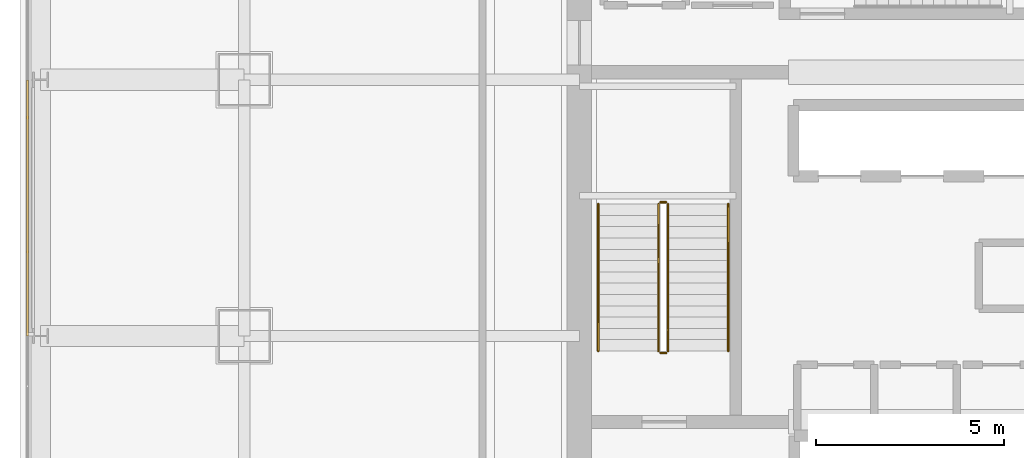
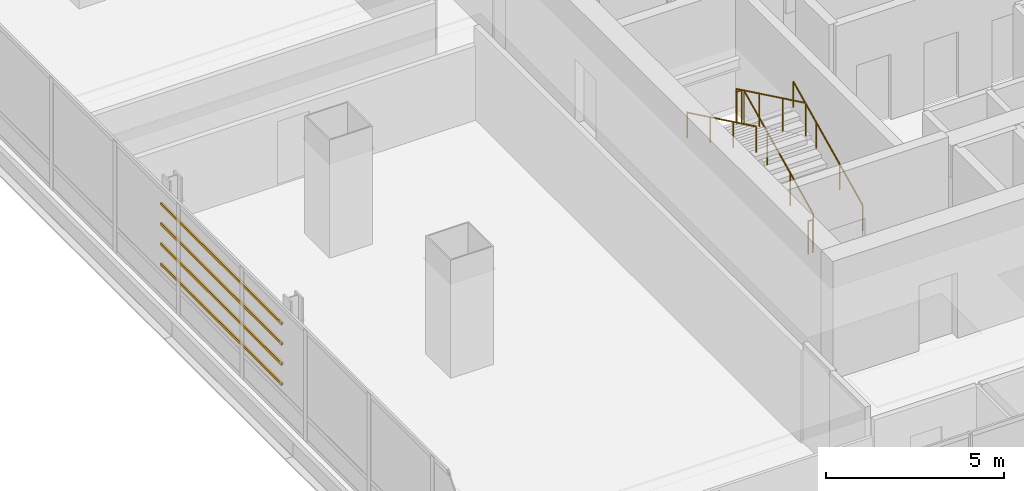
# One storey, part 35 of 38: 6 railings, 4 shading devices.
"""IFC4 building model written with IfcOpenShell, lengths in metres."""

from ifc_helpers import new_model, si_unit, direction, frame, origin, origin_2d, place, context, subcontext, project, spatial, hollow_rectangle, circle, extrude, material, material_profile, profile_set, type_object, element, save


model = new_model("IFC4")

# Units and contexts
model_context = context("Model", 3, precision=1e-05, world=origin(), true_north=direction((0.0, 1.0)))
body_context = subcontext(model_context, "Body", "Model", "MODEL_VIEW")
ifc_project = project(units=[si_unit("LENGTHUNIT", "METRE"), si_unit("AREAUNIT", "SQUARE_METRE"), si_unit("VOLUMEUNIT", "CUBIC_METRE"), si_unit("PLANEANGLEUNIT", "RADIAN"), si_unit("MASSUNIT", "GRAM", prefix="KILO")], contexts=[model_context])

# Site, building, storey
site_placement = place(None, origin())
site = spatial("IfcSite", under=ifc_project, at=site_placement, CompositionType="ELEMENT")
building_placement = place(site_placement, origin())
building = spatial("IfcBuilding", under=site, at=building_placement, Name="Punatoya Terracotta Tower", CompositionType="ELEMENT")
storey_placement = place(building_placement, frame((0.0, 0.0, 160.050048828125)))
storey = spatial("IfcBuildingStorey", under=building, at=storey_placement, Name="L37", CompositionType="ELEMENT", Elevation=160.050048828125)

# Railings
ifc_material_1 = material(Name="Steel S355", Category="steel")
railing_type_1 = type_object("IfcRailingType", Name="RLG-GRD-1150", PredefinedType="GUARDRAIL", material=ifc_material_1)
railing_1_placement = place(storey_placement, frame((-7.85009765625, -3.800048828125, 0.14453125)))
element("IfcRailing", 1, at=railing_1_placement, inside=storey, type_object=railing_type_1, Name="L37 ST-1 stair guard 1", PredefinedType="GUARDRAIL", context=body_context, shape_type="SweptSolid", body=[
    extrude(circle(Radius=0.02392578125, at=origin_2d()), frame((0.0, 0.0, 1.1259765625), z_axis=(0.0, 0.900773802044, 0.434288564841), x_axis=(-1.0, 0.0, 0.0)), (0.0, 0.0, 1.0), 4.329833984375),
    extrude(circle(Radius=0.02099609375, at=origin_2d()), origin(), (0.0, 0.0, 1.0), 1.101806640625),
    extrude(circle(Radius=0.02099609375, at=origin_2d()), frame((0.0, 1.300048828125, 0.626708984375)), (0.0, 0.0, 1.0), 1.101806640625),
    extrude(circle(Radius=0.02099609375, at=origin_2d()), frame((0.0, 2.60009765625, 1.253662109375)), (0.0, 0.0, 1.0), 1.101806640625),
    extrude(circle(Radius=0.02099609375, at=origin_2d()), frame((0.0, 3.900146484375, 1.88037109375)), (0.0, 0.0, 1.0), 1.101806640625),
])
railing_2_placement = place(storey_placement, frame((-7.89990234375, 0.14990234375, 2.02490234375)))
element("IfcRailing", 2, at=railing_2_placement, inside=storey, type_object=railing_type_1, Name="L37 ST-1 stair guard 2", PredefinedType="GUARDRAIL", context=body_context, shape_type="SweptSolid", body=[
    extrude(circle(Radius=0.02392578125, at=origin_2d()), frame((0.0, 0.0, 1.1259765625), z_axis=(-1.0, 0.0, 0.0), x_axis=(0.0, -1.0, 0.0)), (0.0, 0.0, 1.0), 0.150146484375),
    extrude(circle(Radius=0.02099609375, at=origin_2d()), origin(), (0.0, 0.0, 1.0), 1.101806640625),
    extrude(circle(Radius=0.02099609375, at=origin_2d()), frame((-0.150146484375, 0.0, 0.0)), (0.0, 0.0, 1.0), 1.101806640625),
])
railing_3_placement = place(storey_placement, frame((-8.10009765625, 0.10009765625, 2.169677734375)))
element("IfcRailing", 3, at=railing_3_placement, inside=storey, type_object=railing_type_1, Name="L37 ST-1 stair guard 3", PredefinedType="GUARDRAIL", context=body_context, shape_type="SweptSolid", body=[
    extrude(circle(Radius=0.02392578125, at=origin_2d()), frame((0.0, 0.0, 1.1259765625), z_axis=(0.0, -0.900773802044, 0.434288564841), x_axis=(1.0, 0.0, 0.0)), (0.0, 0.0, 1.0), 4.329833984375),
    extrude(circle(Radius=0.02099609375, at=origin_2d()), origin(), (0.0, 0.0, 1.0), 1.101806640625),
    extrude(circle(Radius=0.02099609375, at=origin_2d()), frame((0.0, -1.300048828125, 0.626708984375)), (0.0, 0.0, 1.0), 1.101806640625),
    extrude(circle(Radius=0.02099609375, at=origin_2d()), frame((0.0, -2.60009765625, 1.253662109375)), (0.0, 0.0, 1.0), 1.101806640625),
    extrude(circle(Radius=0.02099609375, at=origin_2d()), frame((0.0, -3.900146484375, 1.88037109375)), (0.0, 0.0, 1.0), 1.101806640625),
])
railing_4_placement = place(storey_placement, frame((-7.89990234375, -3.85009765625, 0.0)))
element("IfcRailing", 4, at=railing_4_placement, inside=storey, type_object=railing_type_1, Name="L37 ST-1 stair guard 4", PredefinedType="GUARDRAIL", context=body_context, shape_type="SweptSolid", body=[
    extrude(circle(Radius=0.02392578125, at=origin_2d()), frame((0.0, 0.0, 1.1259765625), z_axis=(-1.0, 0.0, 0.0), x_axis=(0.0, -1.0, 0.0)), (0.0, 0.0, 1.0), 0.150146484375),
    extrude(circle(Radius=0.02099609375, at=origin_2d()), origin(), (0.0, 0.0, 1.0), 1.101806640625),
    extrude(circle(Radius=0.02099609375, at=origin_2d()), frame((-0.150146484375, 0.0, 0.0)), (0.0, 0.0, 1.0), 1.101806640625),
])
railing_type_2 = type_object("IfcRailingType", Name="RLG-HND-900", PredefinedType="HANDRAIL", material=ifc_material_1)
railing_5_placement = place(storey_placement, frame((-6.25, -3.800048828125, 0.14453125)))
element("IfcRailing", 5, at=railing_5_placement, inside=storey, type_object=railing_type_2, Name="L37 ST-1 stair handrail 1", PredefinedType="HANDRAIL", context=body_context, shape_type="SweptSolid", body=[
    extrude(circle(Radius=0.02392578125, at=origin_2d()), frame((0.0, 0.0, 0.8759765625), z_axis=(0.0, 0.900773802044, 0.434288564841), x_axis=(-1.0, 0.0, 0.0)), (0.0, 0.0, 1.0), 4.329833984375),
    extrude(circle(Radius=0.02099609375, at=origin_2d()), origin(), (0.0, 0.0, 1.0), 0.851806640625),
    extrude(circle(Radius=0.02099609375, at=origin_2d()), frame((0.0, 1.300048828125, 0.626708984375)), (0.0, 0.0, 1.0), 0.851806640625),
    extrude(circle(Radius=0.02099609375, at=origin_2d()), frame((0.0, 2.60009765625, 1.253662109375)), (0.0, 0.0, 1.0), 0.851806640625),
    extrude(circle(Radius=0.02099609375, at=origin_2d()), frame((0.0, 3.900146484375, 1.88037109375)), (0.0, 0.0, 1.0), 0.851806640625),
])
railing_6_placement = place(storey_placement, frame((-9.699951171875, 0.10009765625, 2.169677734375)))
element("IfcRailing", 6, at=railing_6_placement, inside=storey, type_object=railing_type_2, Name="L37 ST-1 stair handrail 2", PredefinedType="HANDRAIL", context=body_context, shape_type="SweptSolid", body=[
    extrude(circle(Radius=0.02392578125, at=origin_2d()), frame((0.0, 0.0, 0.8759765625), z_axis=(0.0, -0.900773802044, 0.434288564841), x_axis=(1.0, 0.0, 0.0)), (0.0, 0.0, 1.0), 4.329833984375),
    extrude(circle(Radius=0.02099609375, at=origin_2d()), origin(), (0.0, 0.0, 1.0), 0.851806640625),
    extrude(circle(Radius=0.02099609375, at=origin_2d()), frame((0.0, -1.300048828125, 0.626708984375)), (0.0, 0.0, 1.0), 0.851806640625),
    extrude(circle(Radius=0.02099609375, at=origin_2d()), frame((0.0, -2.60009765625, 1.253662109375)), (0.0, 0.0, 1.0), 0.851806640625),
    extrude(circle(Radius=0.02099609375, at=origin_2d()), frame((0.0, -3.900146484375, 1.88037109375)), (0.0, 0.0, 1.0), 0.851806640625),
])

# Shading devices
ifc_material_2 = material(Name="Architectural Fired Terracotta", Category="masonry")
ifc_material_profile = material_profile(ifc_material_2, hollow_rectangle(XDim=0.06005859375, YDim=0.090087890625, WallThickness=0.013916015625, at=origin_2d()))
ifc_profile_set = profile_set([ifc_material_profile], Name="Architectural Fired Terracotta")
shading_device_type = type_object("IfcShadingDeviceType", Name="SHD-JALI-90", PredefinedType="JALOUSIE", material=ifc_profile_set)
for number, where, z_axis, x_axis, name in (
    (7, (-24.8525390625, -3.39990234375, 1.14990234375), (0.0, 1.0, 0.0), (-1.0, 0.0, 0.0), "L37 Fired Terracotta Baguette Louvre BAG-L37-W-01"),
    (8, (-24.8525390625, -3.39990234375, 1.84326171875), (0.0, 1.0, 0.0), (-1.0, 0.0, 0.0), "L37 Fired Terracotta Baguette Louvre BAG-L37-W-02"),
    (9, (-24.8525390625, -3.39990234375, 2.53662109375), (0.0, 1.0, 0.0), (-1.0, 0.0, 0.0), "L37 Fired Terracotta Baguette Louvre BAG-L37-W-03"),
    (10, (-24.8525390625, -3.39990234375, 3.22998046875), (0.0, 1.0, 0.0), (-1.0, 0.0, 0.0), "L37 Fired Terracotta Baguette Louvre BAG-L37-W-04"),
):
    element("IfcShadingDevice", number, at=place(storey_placement, frame(where, z_axis=z_axis, x_axis=x_axis)), inside=storey, type_object=shading_device_type, Name=name, PredefinedType="JALOUSIE", context=body_context, shape_type="SweptSolid", body=[
        extrude(hollow_rectangle(XDim=0.06005859375, YDim=0.090087890625, WallThickness=0.013916015625, at=origin_2d()), origin(), (0.0, 0.0, 1.0), 6.7998046875),
    ])

save(model, "model.ifc")
